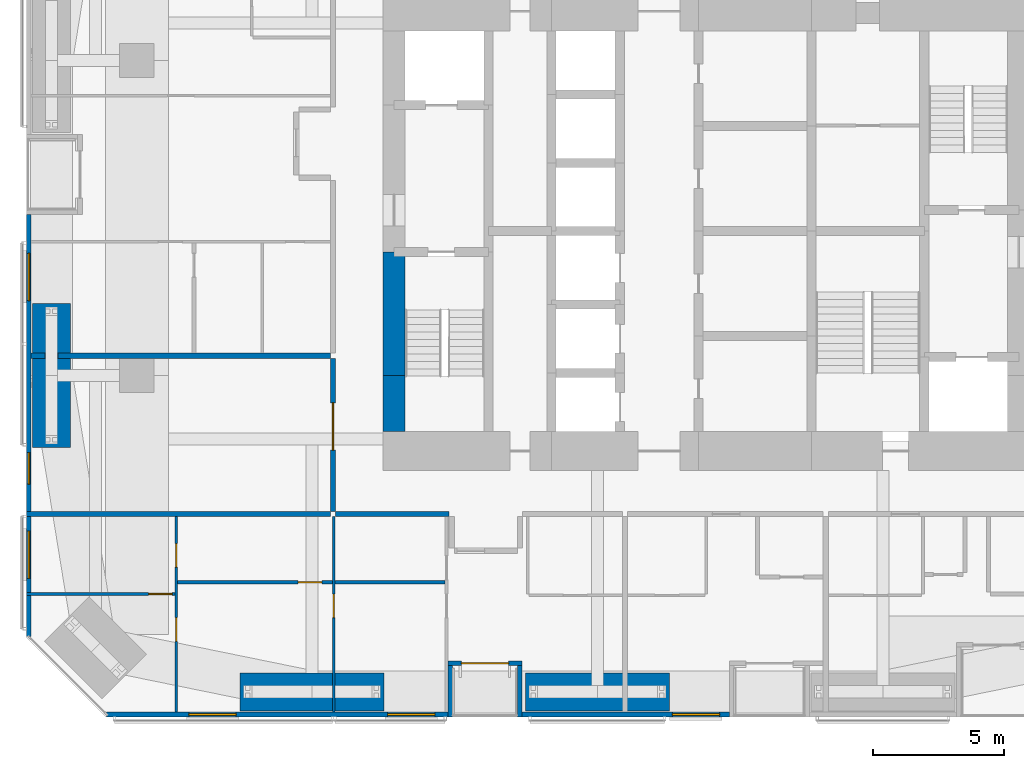
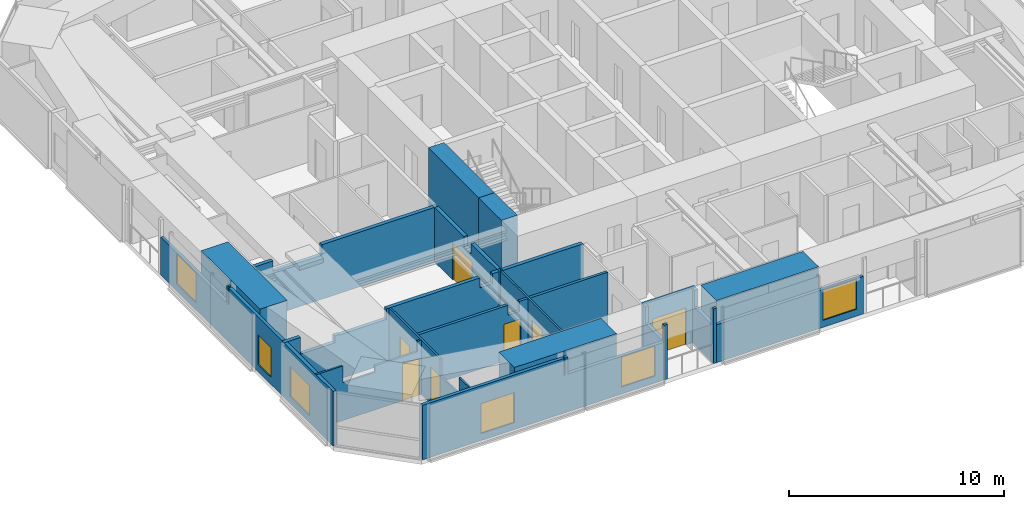
# One storey, part 17 of 25: 20 walls, 7 doors, 6 windows, 13 openings.
"""IFC4 building model written with IfcOpenShell, lengths in metres."""

from ifc_helpers import new_model, si_unit, direction, frame, frame_2d, origin, place, context, subcontext, project, spatial, polyline, rectangle, outline, extrude, material, layer, layer_set, constituent, constituent_set, type_object, element, fill, save


model = new_model("IFC4")

# Units and contexts
model_context = context("Model", 3, precision=1e-05, world=origin(), true_north=direction((0.0, 1.0)))
body_context = subcontext(model_context, "Body", "Model", "MODEL_VIEW")
ifc_project = project(units=[si_unit("LENGTHUNIT", "METRE"), si_unit("AREAUNIT", "SQUARE_METRE"), si_unit("VOLUMEUNIT", "CUBIC_METRE"), si_unit("PLANEANGLEUNIT", "RADIAN"), si_unit("MASSUNIT", "GRAM", prefix="KILO")], contexts=[model_context])

# Site, building, storey
site_placement = place(None, origin())
site = spatial("IfcSite", under=ifc_project, at=site_placement, CompositionType="ELEMENT")
building_placement = place(site_placement, origin())
building = spatial("IfcBuilding", under=site, at=building_placement, Name="Jalousie Tower", CompositionType="ELEMENT")
storey_placement = place(building_placement, frame((0.0, 0.0, 98.14990234375)))
storey = spatial("IfcBuildingStorey", under=building, at=storey_placement, Name="L26", CompositionType="ELEMENT", Elevation=98.14990234375)

# Wall, opening, door
ifc_material_1 = material(Name="Concrete block ASTM C90", Category="concrete")
ifc_constituent_1 = constituent(ifc_material_1, Name="Body")
ifc_material_2 = material(Name="Render")
ifc_constituent_2 = constituent(ifc_material_2, Name="Finish")
ifc_constituent_set_1 = constituent_set(constituents=[ifc_constituent_1, ifc_constituent_2])
wall_type_1 = type_object("IfcWallType", Name="BATHROOM WALL 150", PredefinedType="PLUMBINGWALL", material=ifc_constituent_set_1)
wall_1_placement = place(storey_placement, frame((11.75, 5.125, 0.0), z_axis=(0.0, 0.0, 1.0), x_axis=(1.0, 0.0, 0.0)))
wall_1 = element("IfcWall", 1, at=wall_1_placement, inside=storey, type_object=wall_type_1, Name="Bathroom Wall 150 L26", PredefinedType="PLUMBINGWALL", context=body_context, shape_type="SweptSolid", body=[
    extrude(outline(polyline([(0.0, 0.0), (5.89990234375, 0.0), (5.89990234375, 3.110107421875), (5.4375, 3.110107421875), (5.4375, 2.541015625), (4.8125, 2.541015625), (4.8125, 3.110107421875), (0.0, 3.110107421875), (0.0, 0.0)])), frame((0.0, 0.074951171875, 0.0), z_axis=(0.0, -1.0, 0.0), x_axis=(1.0, 0.0, 0.0)), (0.0, 0.0, 1.0), 0.14990234375),
])
opening_1_placement = place(wall_1_placement, frame((4.60009765625, 0.0, 0.0)))
opening_1 = element("IfcOpeningElement", 2, at=opening_1_placement, cuts=wall_1, Name="Opening D3", PredefinedType="OPENING", context=body_context, shape_type="SweptSolid", body=[
    extrude(rectangle(XDim=0.89990234375, YDim=2.10009765625, at=frame_2d((0.449951171875, 1.050048828125))), frame((0.0, 0.0849609375, 0.0), z_axis=(0.0, -1.0, 0.0), x_axis=(1.0, 0.0, 0.0)), (0.0, 0.0, 1.0), 0.169921875),
])
ifc_material_3 = material(Name="Timber door", Category="wood")
door_type_1 = type_object("IfcDoorType", Name="BATHROOM DOOR 900", OperationType="SINGLE_SWING_LEFT", PredefinedType="DOOR", material=ifc_material_3)
door_1_placement = place(opening_1_placement, origin())
door_1 = element("IfcDoor", 3, at=door_1_placement, inside=storey, type_object=door_type_1, Name="Apartment 2601 bedroom 2 bathroom door", OperationType="SINGLE_SWING_RIGHT", OverallHeight=2.10009765625, OverallWidth=0.89990234375, PredefinedType="DOOR", context=body_context, shape_type="SweptSolid", body=[
    extrude(rectangle(XDim=0.89990234375, YDim=2.10009765625, at=frame_2d((0.449951171875, 1.050048828125))), frame((0.0, 0.02490234375, 0.0), z_axis=(0.0, -1.0, 0.0), x_axis=(1.0, 0.0, 0.0)), (0.0, 0.0, 1.0), 0.050048828125),
])
fill(opening_1, door_1)

# Walls
wall_2_placement = place(storey_placement, frame((17.75, 5.125, 0.0), z_axis=(0.0, 0.0, 1.0), x_axis=(1.0, 0.0, 0.0)))
element("IfcWall", 4, at=wall_2_placement, inside=storey, type_object=wall_type_1, Name="Bathroom Wall 150 L26", PredefinedType="PLUMBINGWALL", context=body_context, shape_type="SweptSolid", body=[
    extrude(rectangle(XDim=4.199951171875, YDim=0.14990234375, at=frame_2d((2.10009765625, 0.0))), origin(), (0.0, 0.0, 1.0), 3.110107421875),
])
ifc_material_4 = material(Name="Concrete f'c 120 MPa", Category="concrete")
ifc_layer_1 = layer(ifc_material_4, 0.85009765625)
ifc_layer_set_1 = layer_set([ifc_layer_1], Name="Concrete f'c 120 MPa")
wall_type_2 = type_object("IfcWallType", Name="CORE WALL 850", PredefinedType="SHEAR", material=ifc_layer_set_1)
wall_3_placement = place(storey_placement, frame((20.0, 17.699951171875, 0.0), z_axis=(0.0, 0.0, 1.0), x_axis=(0.0, -1.0, 0.0)))
element("IfcWall", 5, at=wall_3_placement, inside=storey, type_object=wall_type_2, Name="Core wall WC L26", PredefinedType="SHEAR", context=body_context, shape_type="SweptSolid", body=[
    extrude(rectangle(XDim=4.699951171875, YDim=0.85009765625, at=frame_2d((2.35009765625, 0.0))), origin(), (0.0, 0.0, 1.0), 3.35009765625),
])
wall_4_placement = place(storey_placement, frame((20.0, 13.0, 0.0), z_axis=(0.0, 0.0, 1.0), x_axis=(0.0, -1.0, 0.0)))
element("IfcWall", 6, at=wall_4_placement, inside=storey, type_object=wall_type_2, Name="Core wall WD L26", PredefinedType="SHEAR", context=body_context, shape_type="SweptSolid", body=[
    extrude(rectangle(XDim=2.125, YDim=0.85009765625, at=frame_2d((1.0625, 0.0))), origin(), (0.0, 0.0, 1.0), 3.35009765625),
])
ifc_material_5 = material(Name="Concrete block ASTM C90", Category="concrete")
ifc_constituent_3 = constituent(ifc_material_5, Name="Body")
ifc_material_6 = material(Name="Render")
ifc_constituent_4 = constituent(ifc_material_6, Name="Finish")
ifc_constituent_set_2 = constituent_set(constituents=[ifc_constituent_3, ifc_constituent_4])
wall_type_3 = type_object("IfcWallType", Name="CORRIDOR WALL 200", PredefinedType="PARTITIONING", material=ifc_constituent_set_2)
wall_5_placement = place(storey_placement, frame((17.77490234375, 7.72509765625, 0.0), z_axis=(0.0, 0.0, 1.0), x_axis=(1.0, 0.0, 0.0)))
element("IfcWall", 7, at=wall_5_placement, inside=storey, type_object=wall_type_3, Name="Corridor Wall 200 L26", PredefinedType="PARTITIONING", context=body_context, shape_type="SweptSolid", body=[
    extrude(rectangle(XDim=4.3251953125, YDim=0.199951171875, at=frame_2d((2.16259765625, 0.0))), origin(), (0.0, 0.0, 1.0), 3.110107421875),
])

# Wall, opening, door
wall_6_placement = place(storey_placement, frame((17.675048828125, 7.824951171875, 0.0), z_axis=(0.0, 0.0, 1.0), x_axis=(0.0, 1.0, 0.0)))
wall_6 = element("IfcWall", 8, at=wall_6_placement, inside=storey, type_object=wall_type_3, Name="Corridor Wall 200 L26", PredefinedType="PARTITIONING", context=body_context, shape_type="SweptSolid", body=[
    extrude(outline(polyline([(0.0, 0.0), (5.824951171875, 0.0), (5.824951171875, 3.110107421875), (3.08740234375, 3.110107421875), (3.08740234375, 2.541015625), (2.41259765625, 2.541015625), (2.41259765625, 3.110107421875), (0.0, 3.110107421875), (0.0, 0.0)])), frame((0.0, 0.10009765625, 0.0), z_axis=(0.0, -1.0, 0.0), x_axis=(1.0, 0.0, 0.0)), (0.0, 0.0, 1.0), 0.199951171875),
])
opening_2_placement = place(wall_6_placement, frame((2.33740234375, 0.0, 0.0)))
opening_2 = element("IfcOpeningElement", 9, at=opening_2_placement, cuts=wall_6, Name="Opening D22", PredefinedType="OPENING", context=body_context, shape_type="SweptSolid", body=[
    extrude(rectangle(XDim=1.800048828125, YDim=2.10009765625, at=frame_2d((0.89990234375, 1.050048828125))), frame((0.0, 0.10986328125, 0.0), z_axis=(0.0, -1.0, 0.0), x_axis=(1.0, 0.0, 0.0)), (0.0, 0.0, 1.0), 0.219970703125),
])
ifc_material_7 = material(Name="Timber fire door", Category="wood")
door_type_2 = type_object("IfcDoorType", Name="CORRIDOR DOUBLE DOOR 1800", OperationType="DOUBLE_DOOR_SINGLE_SWING", PredefinedType="DOOR", material=ifc_material_7)
door_2_placement = place(opening_2_placement, origin())
door_2 = element("IfcDoor", 10, at=door_2_placement, inside=storey, type_object=door_type_2, Name="Residents' co-working room door", OperationType="DOUBLE_DOOR_SINGLE_SWING", OverallHeight=2.10009765625, OverallWidth=1.800048828125, PredefinedType="DOOR", context=body_context, shape_type="SweptSolid", body=[
    extrude(rectangle(XDim=1.800048828125, YDim=2.10009765625, at=frame_2d((0.89990234375, 1.050048828125))), frame((0.0, 0.02490234375, 0.0), z_axis=(0.0, -1.0, 0.0), x_axis=(1.0, 0.0, 0.0)), (0.0, 0.0, 1.0), 0.050048828125),
])
fill(opening_2, door_2)

# Wall, openings, windows
ifc_material_8 = material(Name="Concrete f'c 40 MPa", Category="concrete")
ifc_constituent_5 = constituent(ifc_material_8, Name="Body")
ifc_material_9 = material(Name="Render, pastel sea green")
ifc_constituent_6 = constituent(ifc_material_9, Name="Finish")
ifc_constituent_set_3 = constituent_set(constituents=[ifc_constituent_5, ifc_constituent_6])
wall_type_4 = type_object("IfcWallType", Name="EXTERNAL WALL 175 SEA GREEN RENDER", PredefinedType="SOLIDWALL", material=ifc_constituent_set_3)
wall_7_placement = place(storey_placement, frame((9.05126953125, 0.08740234375, 0.0), z_axis=(0.0, 0.0, 1.0), x_axis=(1.0, 0.0, 0.0)))
wall_7 = element("IfcWall", 11, at=wall_7_placement, inside=storey, type_object=wall_type_4, Name="External Wall 175 Sea Green Render L26", PredefinedType="SOLIDWALL", context=body_context, shape_type="SweptSolid", body=[
    extrude(outline(polyline([(0.0, 0.0), (12.998779296875, 0.0), (12.998779296875, 2.150146484375), (7.82373046875, 2.150146484375), (7.82373046875, 3.110107421875), (7.66552734375, 3.110107421875), (7.66552734375, 2.150146484375), (7.620361328125, 2.150146484375), (7.620361328125, 3.110107421875), (0.0, 3.110107421875), (0.0, 0.0)])), frame((0.0, 0.08740234375, 0.0), z_axis=(0.0, -1.0, 0.0), x_axis=(1.0, 0.0, 0.0)), (0.0, 0.0, 1.0), 0.175048828125),
])
opening_3_placement = place(wall_7_placement, frame((3.1337890625, 0.0, 0.39990234375)))
opening_3 = element("IfcOpeningElement", 12, at=opening_3_placement, cuts=wall_7, Name="Opening W-BED170", PredefinedType="OPENING", context=body_context, shape_type="SweptSolid", body=[
    extrude(rectangle(XDim=1.800048828125, YDim=1.699951171875, at=frame_2d((0.89990234375, 0.85009765625))), frame((0.0, 0.097412109375, 0.0), z_axis=(0.0, -1.0, 0.0), x_axis=(1.0, 0.0, 0.0)), (0.0, 0.0, 1.0), 0.195068359375),
])
opening_4_placement = place(wall_7_placement, frame((10.706298828125, 0.0, 0.39990234375)))
opening_4 = element("IfcOpeningElement", 13, at=opening_4_placement, cuts=wall_7, Name="Opening W-BED170", PredefinedType="OPENING", context=body_context, shape_type="SweptSolid", body=[
    extrude(rectangle(XDim=1.800048828125, YDim=1.699951171875, at=frame_2d((0.89990234375, 0.85009765625))), frame((0.0, 0.097412109375, 0.0), z_axis=(0.0, -1.0, 0.0), x_axis=(1.0, 0.0, 0.0)), (0.0, 0.0, 1.0), 0.195068359375),
])
ifc_material_10 = material(Name="Aluminium frame, impact-rated glazing", Category="aluminium")
window_type_1 = type_object("IfcWindowType", Name="WINDOW BED 1800x1700", PartitioningType="SINGLE_PANEL", PredefinedType="WINDOW", material=ifc_material_10)
window_1_placement = place(opening_3_placement, origin())
window_1 = element("IfcWindow", 14, at=window_1_placement, inside=storey, type_object=window_type_1, Name="Apartment 2601 bedroom 2 window", OverallHeight=1.699951171875, OverallWidth=1.800048828125, PartitioningType="SINGLE_PANEL", PredefinedType="WINDOW", context=body_context, shape_type="SweptSolid", body=[
    extrude(rectangle(XDim=1.800048828125, YDim=1.699951171875, at=frame_2d((0.89990234375, 0.85009765625))), frame((0.0, 0.030029296875, 0.0), z_axis=(0.0, -1.0, 0.0), x_axis=(1.0, 0.0, 0.0)), (0.0, 0.0, 1.0), 0.06005859375),
])
fill(opening_3, window_1)
window_2_placement = place(opening_4_placement, origin())
window_2 = element("IfcWindow", 15, at=window_2_placement, inside=storey, type_object=window_type_1, Name="Apartment 2601 bedroom 3 window", OverallHeight=1.699951171875, OverallWidth=1.800048828125, PartitioningType="SINGLE_PANEL", PredefinedType="WINDOW", context=body_context, shape_type="SweptSolid", body=[
    extrude(rectangle(XDim=1.800048828125, YDim=1.699951171875, at=frame_2d((0.89990234375, 0.85009765625))), frame((0.0, 0.030029296875, 0.0), z_axis=(0.0, -1.0, 0.0), x_axis=(1.0, 0.0, 0.0)), (0.0, 0.0, 1.0), 0.06005859375),
])
fill(opening_4, window_2)

# Wall, opening, window
wall_8_placement = place(storey_placement, frame((24.875, 0.08740234375, 0.0), z_axis=(0.0, 0.0, 1.0), x_axis=(1.0, 0.0, 0.0)))
wall_8 = element("IfcWall", 16, at=wall_8_placement, inside=storey, type_object=wall_type_4, Name="External Wall 175 Sea Green Render L26", PredefinedType="SOLIDWALL", context=body_context, shape_type="SweptSolid", body=[
    extrude(rectangle(XDim=7.89990234375, YDim=0.175048828125, at=frame_2d((3.949951171875, 0.0))), origin(), (0.0, 0.0, 1.0), 2.150146484375),
])
opening_5_placement = place(wall_8_placement, frame((5.72509765625, 0.0, 0.39990234375)))
opening_5 = element("IfcOpeningElement", 17, at=opening_5_placement, cuts=wall_8, Name="Opening W-BED170", PredefinedType="OPENING", context=body_context, shape_type="SweptSolid", body=[
    extrude(rectangle(XDim=1.800048828125, YDim=1.699951171875, at=frame_2d((0.89990234375, 0.85009765625))), frame((0.0, 0.097412109375, 0.0), z_axis=(0.0, -1.0, 0.0), x_axis=(1.0, 0.0, 0.0)), (0.0, 0.0, 1.0), 0.195068359375),
])
window_3_placement = place(opening_5_placement, origin())
window_3 = element("IfcWindow", 18, at=window_3_placement, inside=storey, type_object=window_type_1, Name="Apartment 2602 studio living and sleeping room window", OverallHeight=1.699951171875, OverallWidth=1.800048828125, PartitioningType="SINGLE_PANEL", PredefinedType="WINDOW", context=body_context, shape_type="SweptSolid", body=[
    extrude(rectangle(XDim=1.800048828125, YDim=1.699951171875, at=frame_2d((0.89990234375, 0.85009765625))), frame((0.0, 0.030029296875, 0.0), z_axis=(0.0, -1.0, 0.0), x_axis=(1.0, 0.0, 0.0)), (0.0, 0.0, 1.0), 0.06005859375),
])
fill(opening_5, window_3)

# Wall, opening, door
wall_9_placement = place(storey_placement, frame((22.050048828125, 2.03759765625, 0.0), z_axis=(0.0, 0.0, 1.0), x_axis=(1.0, 0.0, 0.0)))
wall_9 = element("IfcWall", 19, at=wall_9_placement, inside=storey, type_object=wall_type_4, Name="External Wall 175 Sea Green Render L26", PredefinedType="SOLIDWALL", context=body_context, shape_type="SweptSolid", body=[
    extrude(rectangle(XDim=2.824951171875, YDim=0.175048828125, at=frame_2d((1.41259765625, 0.0))), origin(), (0.0, 0.0, 1.0), 3.110107421875),
])
opening_6_placement = place(wall_9_placement, frame((0.512451171875, 0.0, 0.0)))
opening_6 = element("IfcOpeningElement", 20, at=opening_6_placement, cuts=wall_9, Name="Opening D-BAL21", PredefinedType="OPENING", context=body_context, shape_type="SweptSolid", body=[
    extrude(rectangle(XDim=1.800048828125, YDim=2.10009765625, at=frame_2d((0.89990234375, 1.050048828125))), frame((0.0, 0.097412109375, 0.0), z_axis=(0.0, -1.0, 0.0), x_axis=(1.0, 0.0, 0.0)), (0.0, 0.0, 1.0), 0.195068359375),
])
ifc_material_11 = material(Name="Aluminium frame, impact-rated glazing", Category="aluminium")
door_type_3 = type_object("IfcDoorType", Name="BALCONY DOOR 1800x2100", OperationType="SLIDING_TO_LEFT", PredefinedType="DOOR", material=ifc_material_11)
door_3_placement = place(opening_6_placement, origin())
door_3 = element("IfcDoor", 21, at=door_3_placement, inside=storey, type_object=door_type_3, Name="Apartment 2601 living and dining room loggia door", OperationType="SLIDING_TO_LEFT", OverallHeight=2.10009765625, OverallWidth=1.800048828125, PredefinedType="DOOR", context=body_context, shape_type="SweptSolid", body=[
    extrude(rectangle(XDim=1.800048828125, YDim=2.10009765625, at=frame_2d((0.89990234375, 1.050048828125))), frame((0.0, 0.02490234375, 0.0), z_axis=(0.0, -1.0, 0.0), x_axis=(1.0, 0.0, 0.0)), (0.0, 0.0, 1.0), 0.050048828125),
])
fill(opening_6, door_3)

# Walls
for number, where, z_axis, x_axis, name in (
    (22, (22.137451171875, 0.0, 0.0), (0.0, 0.0, 1.0), (0.0, 1.0, 0.0), "External Wall 175 Sea Green Render L26"),
    (23, (24.78759765625, 0.0, 0.0), (0.0, 0.0, 1.0), (0.0, 1.0, 0.0), "External Wall 175 Sea Green Render L26"),
):
    element("IfcWall", number, at=place(storey_placement, frame(where, z_axis=z_axis, x_axis=x_axis)), inside=storey, type_object=wall_type_4, Name=name, PredefinedType="SOLIDWALL", context=body_context, shape_type="SweptSolid", body=[
        extrude(outline(polyline([(0.0, 0.0), (1.949951171875, 0.0), (1.949951171875, 3.110107421875), (1.75, 3.110107421875), (1.75, 2.150146484375), (0.14990234375, 2.150146484375), (0.14990234375, 3.110107421875), (0.0, 3.110107421875), (0.0, 0.0)])), frame((0.0, 0.08740234375, 0.0), z_axis=(0.0, -1.0, 0.0), x_axis=(1.0, 0.0, 0.0)), (0.0, 0.0, 1.0), 0.175048828125),
    ])

# Wall, openings, windows
wall_10_placement = place(storey_placement, frame((6.08740234375, 19.137451171875, 0.0), z_axis=(0.0, 0.0, 1.0), x_axis=(0.0, -1.0, 0.0)))
wall_10 = element("IfcWall", 24, at=wall_10_placement, inside=storey, type_object=wall_type_4, Name="External Wall 175 Sea Green Render L26", PredefinedType="SOLIDWALL", context=body_context, shape_type="SweptSolid", body=[
    extrude(outline(polyline([(0.0, 0.0), (16.086181640625, 0.0), (16.086181640625, 3.110107421875), (6.356201171875, 3.110107421875), (6.356201171875, 2.150146484375), (6.26318359375, 2.150146484375), (6.26318359375, 3.110107421875), (6.137451171875, 3.110107421875), (6.137451171875, 2.150146484375), (0.0, 2.150146484375), (0.0, 0.0)])), frame((0.0, 0.08740234375, 0.0), z_axis=(0.0, -1.0, 0.0), x_axis=(1.0, 0.0, 0.0)), (0.0, 0.0, 1.0), 0.175048828125),
])
opening_7_placement = place(wall_10_placement, frame((1.481201171875, 0.0, 0.39990234375)))
opening_7 = element("IfcOpeningElement", 25, at=opening_7_placement, cuts=wall_10, Name="Opening W-BED170", PredefinedType="OPENING", context=body_context, shape_type="SweptSolid", body=[
    extrude(rectangle(XDim=1.800048828125, YDim=1.699951171875, at=frame_2d((0.89990234375, 0.85009765625))), frame((0.0, 0.097412109375, 0.0), z_axis=(0.0, -1.0, 0.0), x_axis=(1.0, 0.0, 0.0)), (0.0, 0.0, 1.0), 0.195068359375),
])
opening_8_placement = place(wall_10_placement, frame((9.07568359375, 0.0, 0.39990234375)))
opening_8 = element("IfcOpeningElement", 26, at=opening_8_placement, cuts=wall_10, Name="Opening W-COR170", PredefinedType="OPENING", context=body_context, shape_type="SweptSolid", body=[
    extrude(rectangle(XDim=1.199951171875, YDim=1.699951171875, at=frame_2d((0.60009765625, 0.85009765625))), frame((0.0, 0.097412109375, 0.0), z_axis=(0.0, -1.0, 0.0), x_axis=(1.0, 0.0, 0.0)), (0.0, 0.0, 1.0), 0.195068359375),
])
opening_9_placement = place(wall_10_placement, frame((12.06201171875, 0.0, 0.39990234375)))
opening_9 = element("IfcOpeningElement", 27, at=opening_9_placement, cuts=wall_10, Name="Opening W-BED170", PredefinedType="OPENING", context=body_context, shape_type="SweptSolid", body=[
    extrude(rectangle(XDim=1.800048828125, YDim=1.699951171875, at=frame_2d((0.89990234375, 0.85009765625))), frame((0.0, 0.097412109375, 0.0), z_axis=(0.0, -1.0, 0.0), x_axis=(1.0, 0.0, 0.0)), (0.0, 0.0, 1.0), 0.195068359375),
])
window_4_placement = place(opening_7_placement, origin())
window_4 = element("IfcWindow", 28, at=window_4_placement, inside=storey, type_object=window_type_1, Name="Apartment 2607 bedroom 1 window", OverallHeight=1.699951171875, OverallWidth=1.800048828125, PartitioningType="SINGLE_PANEL", PredefinedType="WINDOW", context=body_context, shape_type="SweptSolid", body=[
    extrude(rectangle(XDim=1.800048828125, YDim=1.699951171875, at=frame_2d((0.89990234375, 0.85009765625))), frame((0.0, 0.030029296875, 0.0), z_axis=(0.0, -1.0, 0.0), x_axis=(1.0, 0.0, 0.0)), (0.0, 0.0, 1.0), 0.06005859375),
])
fill(opening_7, window_4)
window_5_placement = place(opening_9_placement, origin())
window_5 = element("IfcWindow", 29, at=window_5_placement, inside=storey, type_object=window_type_1, Name="Apartment 2601 bedroom 1 window", OverallHeight=1.699951171875, OverallWidth=1.800048828125, PartitioningType="SINGLE_PANEL", PredefinedType="WINDOW", context=body_context, shape_type="SweptSolid", body=[
    extrude(rectangle(XDim=1.800048828125, YDim=1.699951171875, at=frame_2d((0.89990234375, 0.85009765625))), frame((0.0, 0.030029296875, 0.0), z_axis=(0.0, -1.0, 0.0), x_axis=(1.0, 0.0, 0.0)), (0.0, 0.0, 1.0), 0.06005859375),
])
fill(opening_9, window_5)
ifc_material_12 = material(Name="Aluminium frame, impact-rated glazing", Category="aluminium")
window_type_2 = type_object("IfcWindowType", Name="WINDOW COR 1200x1700", PartitioningType="SINGLE_PANEL", PredefinedType="WINDOW", material=ifc_material_12)
window_6_placement = place(opening_8_placement, origin())
window_6 = element("IfcWindow", 30, at=window_6_placement, inside=storey, type_object=window_type_2, Name="Residents' co-working room window", OverallHeight=1.699951171875, OverallWidth=1.199951171875, PartitioningType="SINGLE_PANEL", PredefinedType="WINDOW", context=body_context, shape_type="SweptSolid", body=[
    extrude(rectangle(XDim=1.199951171875, YDim=1.699951171875, at=frame_2d((0.60009765625, 0.85009765625))), frame((0.0, 0.030029296875, 0.0), z_axis=(0.0, -1.0, 0.0), x_axis=(1.0, 0.0, 0.0)), (0.0, 0.0, 1.0), 0.06005859375),
])
fill(opening_8, window_6)

# Wall, openings, doors
ifc_material_13 = material(Name="Gypsum board", Category="gypsum")
ifc_constituent_7 = constituent(ifc_material_13, Name="Body")
ifc_material_14 = material(Name="Light-gauge steel studs ASTM A653 SS Grade 33", Category="steel")
ifc_constituent_8 = constituent(ifc_material_14, Name="Framing")
ifc_constituent_set_4 = constituent_set(constituents=[ifc_constituent_7, ifc_constituent_8])
wall_type_5 = type_object("IfcWallType", Name="PARTITION 100", PredefinedType="PARTITIONING", material=ifc_constituent_set_4)
wall_11_placement = place(storey_placement, frame((11.699951171875, 0.175048828125, 0.0), z_axis=(0.0, 0.0, 1.0), x_axis=(0.0, 1.0, 0.0)))
wall_11 = element("IfcWall", 31, at=wall_11_placement, inside=storey, type_object=wall_type_5, Name="Partition 100 L26", PredefinedType="PARTITIONING", context=body_context, shape_type="SweptSolid", body=[
    extrude(outline(polyline([(0.0, 0.0), (7.449951171875, 0.0), (7.449951171875, 3.110107421875), (2.708251953125, 3.110107421875), (2.708251953125, 2.150146484375), (0.952880859375, 2.150146484375), (0.952880859375, 3.110107421875), (0.0, 3.110107421875), (0.0, 0.0)])), frame((0.0, 0.050048828125, 0.0), z_axis=(0.0, -1.0, 0.0), x_axis=(1.0, 0.0, 0.0)), (0.0, 0.0, 1.0), 0.10009765625),
])
opening_10_placement = place(wall_11_placement, frame((2.700927734375, 0.0, 0.0)))
opening_10 = element("IfcOpeningElement", 32, at=opening_10_placement, cuts=wall_11, Name="Opening D2", PredefinedType="OPENING", context=body_context, shape_type="SweptSolid", body=[
    extrude(rectangle(XDim=0.89990234375, YDim=2.10009765625, at=frame_2d((0.449951171875, 1.050048828125))), frame((0.0, 0.06005859375, 0.0), z_axis=(0.0, -1.0, 0.0), x_axis=(1.0, 0.0, 0.0)), (0.0, 0.0, 1.0), 0.1201171875),
])
opening_11_placement = place(wall_11_placement, frame((5.525390625, 0.0, 0.0)))
opening_11 = element("IfcOpeningElement", 33, at=opening_11_placement, cuts=wall_11, Name="Opening D3", PredefinedType="OPENING", context=body_context, shape_type="SweptSolid", body=[
    extrude(rectangle(XDim=0.89990234375, YDim=2.10009765625, at=frame_2d((0.449951171875, 1.050048828125))), frame((0.0, 0.06005859375, 0.0), z_axis=(0.0, -1.0, 0.0), x_axis=(1.0, 0.0, 0.0)), (0.0, 0.0, 1.0), 0.1201171875),
])
door_4_placement = place(opening_11_placement, frame((0.89990234375, 0.0, 0.0), z_axis=(0.0, 0.0, 1.0), x_axis=(-1.0, 0.0, 0.0)))
door_4 = element("IfcDoor", 34, at=door_4_placement, inside=storey, type_object=door_type_1, Name="Apartment 2601 bedroom 1 bathroom door", OperationType="SINGLE_SWING_RIGHT", OverallHeight=2.10009765625, OverallWidth=0.89990234375, PredefinedType="DOOR", context=body_context, shape_type="SweptSolid", body=[
    extrude(rectangle(XDim=0.89990234375, YDim=2.10009765625, at=frame_2d((0.449951171875, 1.050048828125))), frame((0.0, 0.02490234375, 0.0), z_axis=(0.0, -1.0, 0.0), x_axis=(1.0, 0.0, 0.0)), (0.0, 0.0, 1.0), 0.050048828125),
])
fill(opening_11, door_4)
ifc_material_15 = material(Name="Timber door", Category="wood")
door_type_4 = type_object("IfcDoorType", Name="BEDROOM DOOR 900", OperationType="SINGLE_SWING_LEFT", PredefinedType="DOOR", material=ifc_material_15)
door_5_placement = place(opening_10_placement, frame((0.89990234375, 0.0, 0.0), z_axis=(0.0, 0.0, 1.0), x_axis=(-1.0, 0.0, 0.0)))
door_5 = element("IfcDoor", 35, at=door_5_placement, inside=storey, type_object=door_type_4, Name="Apartment 2601 bedroom 1 door", OperationType="SINGLE_SWING_LEFT", OverallHeight=2.10009765625, OverallWidth=0.89990234375, PredefinedType="DOOR", context=body_context, shape_type="SweptSolid", body=[
    extrude(rectangle(XDim=0.89990234375, YDim=2.10009765625, at=frame_2d((0.449951171875, 1.050048828125))), frame((0.0, 0.02490234375, 0.0), z_axis=(0.0, -1.0, 0.0), x_axis=(1.0, 0.0, 0.0)), (0.0, 0.0, 1.0), 0.050048828125),
])
fill(opening_10, door_5)

# Wall, opening, door
wall_12_placement = place(storey_placement, frame((17.699951171875, 0.175048828125, 0.0), z_axis=(0.0, 0.0, 1.0), x_axis=(0.0, 1.0, 0.0)))
wall_12 = element("IfcWall", 36, at=wall_12_placement, inside=storey, type_object=wall_type_5, Name="Partition 100 L26", PredefinedType="PARTITIONING", context=body_context, shape_type="SweptSolid", body=[
    extrude(outline(polyline([(1.635009765625, 2.150146484375), (0.0, 2.150146484375), (0.0, 0.0), (7.449951171875, 0.0), (7.449951171875, 3.110107421875), (1.635009765625, 3.110107421875), (1.635009765625, 2.150146484375)]), holes=[polyline([(1.021240234375, 0.1162109375), (0.52880859375, 0.1162109375), (0.52880859375, 0.906005859375), (1.021240234375, 0.906005859375), (1.021240234375, 0.1162109375)]), polyline([(1.021240234375, 1.244140625), (0.52880859375, 1.244140625), (0.52880859375, 2.0341796875), (1.021240234375, 2.0341796875), (1.021240234375, 1.244140625)])]), frame((0.0, 0.050048828125, 0.0), z_axis=(0.0, -1.0, 0.0), x_axis=(1.0, 0.0, 0.0)), (0.0, 0.0, 1.0), 0.10009765625),
])
opening_12_placement = place(wall_12_placement, frame((3.60009765625, 0.0, 0.0)))
opening_12 = element("IfcOpeningElement", 37, at=opening_12_placement, cuts=wall_12, Name="Opening D2", PredefinedType="OPENING", context=body_context, shape_type="SweptSolid", body=[
    extrude(rectangle(XDim=0.89990234375, YDim=2.10009765625, at=frame_2d((0.449951171875, 1.050048828125))), frame((0.0, 0.06005859375, 0.0), z_axis=(0.0, -1.0, 0.0), x_axis=(1.0, 0.0, 0.0)), (0.0, 0.0, 1.0), 0.1201171875),
])
door_6_placement = place(opening_12_placement, origin())
door_6 = element("IfcDoor", 38, at=door_6_placement, inside=storey, type_object=door_type_4, Name="Apartment 2601 bedroom 2 door", OperationType="SINGLE_SWING_RIGHT", OverallHeight=2.10009765625, OverallWidth=0.89990234375, PredefinedType="DOOR", context=body_context, shape_type="SweptSolid", body=[
    extrude(rectangle(XDim=0.89990234375, YDim=2.10009765625, at=frame_2d((0.449951171875, 1.050048828125))), frame((0.0, 0.02490234375, 0.0), z_axis=(0.0, -1.0, 0.0), x_axis=(1.0, 0.0, 0.0)), (0.0, 0.0, 1.0), 0.050048828125),
])
fill(opening_12, door_6)

wall_13_placement = place(storey_placement, frame((6.0, 4.67578125, 0.0), z_axis=(0.0, 0.0, 1.0), x_axis=(1.0, 0.0, 0.0)))
wall_13 = element("IfcWall", 39, at=wall_13_placement, inside=storey, type_object=wall_type_5, Name="Partition 100 L26", PredefinedType="PARTITIONING", context=body_context, shape_type="SweptSolid", body=[
    extrude(outline(polyline([(0.0, 0.0), (5.64990234375, 0.0), (5.64990234375, 3.110107421875), (5.4599609375, 3.110107421875), (5.4599609375, 2.510009765625), (3.171142578125, 2.510009765625), (3.171142578125, 2.150146484375), (1.4287109375, 2.150146484375), (1.4287109375, 3.110107421875), (0.0, 3.110107421875), (0.0, 0.0)])), frame((0.0, 0.050048828125, 0.0), z_axis=(0.0, -1.0, 0.0), x_axis=(1.0, 0.0, 0.0)), (0.0, 0.0, 1.0), 0.10009765625),
])
opening_13_placement = place(wall_13_placement, frame((4.64990234375, 0.0, 0.0)))
opening_13 = element("IfcOpeningElement", 40, at=opening_13_placement, cuts=wall_13, Name="Opening D7", PredefinedType="OPENING", context=body_context, shape_type="SweptSolid", body=[
    extrude(rectangle(XDim=0.89990234375, YDim=2.10009765625, at=frame_2d((0.449951171875, 1.050048828125))), frame((0.0, 0.06005859375, 0.0), z_axis=(0.0, -1.0, 0.0), x_axis=(1.0, 0.0, 0.0)), (0.0, 0.0, 1.0), 0.1201171875),
])
ifc_material_16 = material(Name="Timber door", Category="wood")
door_type_5 = type_object("IfcDoorType", Name="INTERNAL DOOR 900", OperationType="SINGLE_SWING_LEFT", PredefinedType="DOOR", material=ifc_material_16)
door_7_placement = place(opening_13_placement, origin())
door_7 = element("IfcDoor", 41, at=door_7_placement, inside=storey, type_object=door_type_5, Name="Apartment 2601 bedroom 1 dressing hall door", OperationType="SINGLE_SWING_RIGHT", OverallHeight=2.10009765625, OverallWidth=0.89990234375, PredefinedType="DOOR", context=body_context, shape_type="SweptSolid", body=[
    extrude(rectangle(XDim=0.89990234375, YDim=2.10009765625, at=frame_2d((0.449951171875, 1.050048828125))), frame((0.0, 0.02490234375, 0.0), z_axis=(0.0, -1.0, 0.0), x_axis=(1.0, 0.0, 0.0)), (0.0, 0.0, 1.0), 0.050048828125),
])
fill(opening_13, door_7)

# Walls
ifc_material_17 = material(Name="Concrete block ASTM C90", Category="concrete")
ifc_constituent_9 = constituent(ifc_material_17, Name="Body")
ifc_material_18 = material(Name="Render")
ifc_constituent_10 = constituent(ifc_material_18, Name="Finish")
ifc_constituent_set_5 = constituent_set(constituents=[ifc_constituent_9, ifc_constituent_10])
wall_type_6 = type_object("IfcWallType", Name="PARTY WALL 200", PredefinedType="PARTITIONING", material=ifc_constituent_set_5)
wall_14_placement = place(storey_placement, frame((6.0, 7.72509765625, 0.0), z_axis=(0.0, 0.0, 1.0), x_axis=(1.0, 0.0, 0.0)))
element("IfcWall", 42, at=wall_14_placement, inside=storey, type_object=wall_type_6, Name="Party Wall 200 L26", PredefinedType="PARTITIONING", context=body_context, shape_type="SweptSolid", body=[
    extrude(outline(polyline([(0.0, 0.0), (11.574951171875, 0.0), (11.574951171875, 3.110107421875), (11.21240234375, 3.110107421875), (11.21240234375, 2.541015625), (10.53759765625, 2.541015625), (10.53759765625, 3.110107421875), (5.510009765625, 3.110107421875), (5.510009765625, 2.510009765625), (2.96875, 2.510009765625), (2.96875, 2.541015625), (2.727294921875, 2.541015625), (2.727294921875, 2.150146484375), (0.883544921875, 2.150146484375), (0.883544921875, 3.110107421875), (0.0, 3.110107421875), (0.0, 0.0)])), frame((0.0, 0.10009765625, 0.0), z_axis=(0.0, -1.0, 0.0), x_axis=(1.0, 0.0, 0.0)), (0.0, 0.0, 1.0), 0.199951171875),
])
wall_15_placement = place(storey_placement, frame((6.175048828125, 13.75, 0.0), z_axis=(0.0, 0.0, 1.0), x_axis=(1.0, 0.0, 0.0)))
element("IfcWall", 43, at=wall_15_placement, inside=storey, type_object=wall_type_6, Name="Party Wall 200 L26", PredefinedType="PARTITIONING", context=body_context, shape_type="SweptSolid", body=[
    extrude(outline(polyline([(1.68505859375, 2.150146484375), (0.0, 2.150146484375), (0.0, 0.0), (11.39990234375, 0.0), (11.39990234375, 3.110107421875), (5.3349609375, 3.110107421875), (5.3349609375, 2.510009765625), (2.715087890625, 2.510009765625), (2.715087890625, 3.110107421875), (1.68505859375, 3.110107421875), (1.68505859375, 2.150146484375)]), holes=[polyline([(1.021240234375, 0.13330078125), (0.52880859375, 0.13330078125), (0.52880859375, 0.991455078125), (1.021240234375, 0.991455078125), (1.021240234375, 0.13330078125)]), polyline([(1.021240234375, 1.15869140625), (0.52880859375, 1.15869140625), (0.52880859375, 2.01708984375), (1.021240234375, 2.01708984375), (1.021240234375, 1.15869140625)])]), frame((0.0, 0.10009765625, 0.0), z_axis=(0.0, -1.0, 0.0), x_axis=(1.0, 0.0, 0.0)), (0.0, 0.0, 1.0), 0.199951171875),
])
ifc_material_19 = material(Name="Concrete f'c 120 MPa", Category="concrete")
ifc_layer_2 = layer(ifc_material_19, 1.449951171875)
ifc_layer_set_2 = layer_set([ifc_layer_2], Name="Concrete f'c 120 MPa")
wall_type_7 = type_object("IfcWallType", Name="RC WALL PIER 1450", PredefinedType="SHEAR", material=ifc_layer_set_2)
for number, where, z_axis, x_axis, name in (
    (44, (14.125, 0.949951171875, 0.0), (0.0, 0.0, 1.0), (1.0, 0.0, 0.0), "Wall pier 02 L26"),
    (45, (25.0, 0.949951171875, 0.0), (0.0, 0.0, 1.0), (1.0, 0.0, 0.0), "Wall pier 03 L26"),
    (46, (6.949951171875, 10.25, 0.0), (0.0, 0.0, 1.0), (0.0, 1.0, 0.0), "Wall pier 14 L26"),
):
    element("IfcWall", number, at=place(storey_placement, frame(where, z_axis=z_axis, x_axis=x_axis)), inside=storey, type_object=wall_type_7, Name=name, PredefinedType="SHEAR", context=body_context, shape_type="SweptSolid", body=[
        extrude(rectangle(XDim=5.5, YDim=1.449951171875, at=frame_2d((2.75, 0.0))), origin(), (0.0, 0.0, 1.0), 3.35009765625),
    ])

save(model, "model.ifc")
